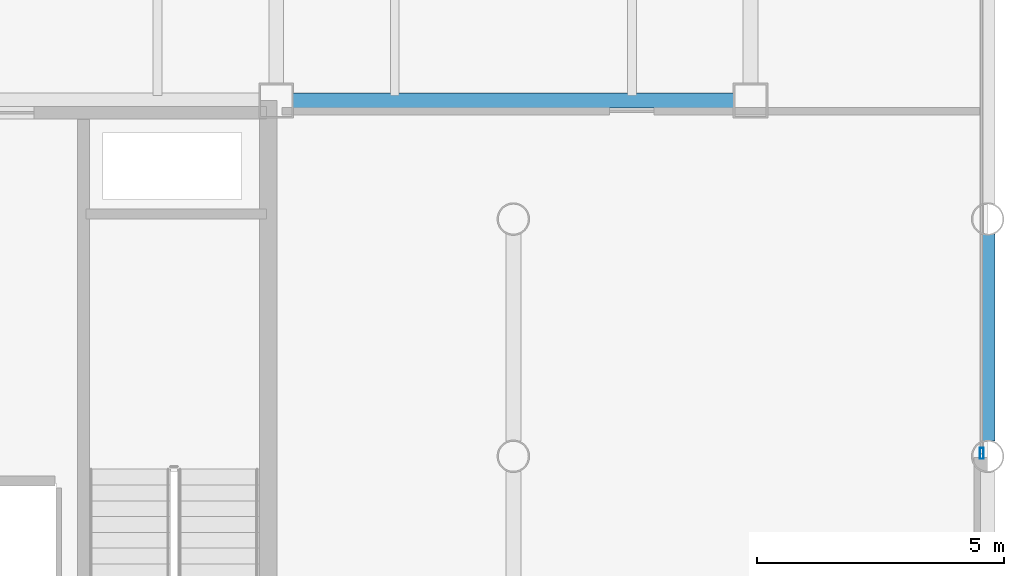
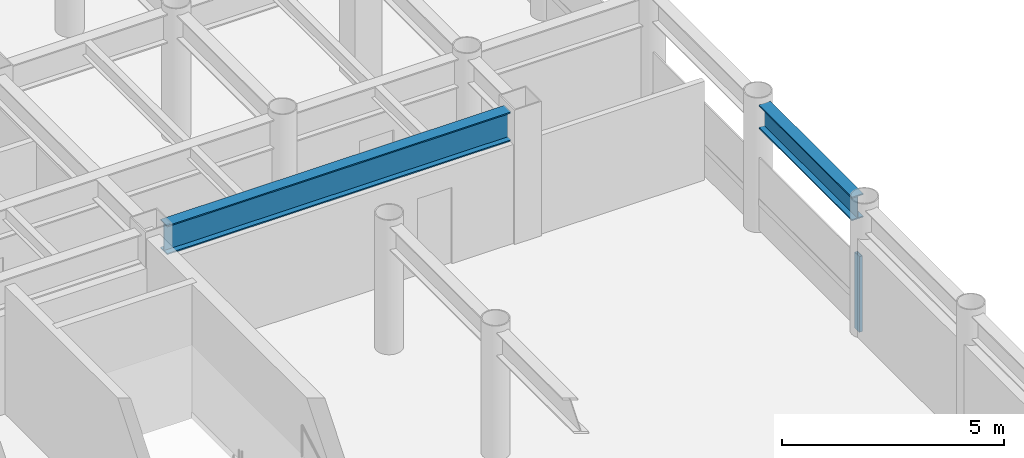
# One storey, part 8 of 20: 2 beams, 1 member, 1 element without a shape of its own.
"""IFC4 building model written with IfcOpenShell, lengths in metres."""

from ifc_helpers import new_model, si_unit, direction, frame, origin, origin_2d, place, context, subcontext, project, spatial, hollow_rectangle, i_section, extrude, material, layer, layer_set, material_profile, profile_set, type_object, element, aggregate, save


model = new_model("IFC4")

# Units and contexts
model_context = context("Model", 3, precision=1e-05, world=origin(), true_north=direction((0.0, 1.0)))
body_context = subcontext(model_context, "Body", "Model", "MODEL_VIEW")
ifc_project = project(units=[si_unit("LENGTHUNIT", "METRE"), si_unit("AREAUNIT", "SQUARE_METRE"), si_unit("VOLUMEUNIT", "CUBIC_METRE"), si_unit("PLANEANGLEUNIT", "RADIAN"), si_unit("MASSUNIT", "GRAM", prefix="KILO")], contexts=[model_context])

# Site, building, storey
site_placement = place(None, origin())
site = spatial("IfcSite", under=ifc_project, at=site_placement, CompositionType="ELEMENT")
building_placement = place(site_placement, origin())
building = spatial("IfcBuilding", under=site, at=building_placement, Name="Kallvorn Hotel Tower", CompositionType="ELEMENT")
storey_placement = place(building_placement, frame((0.0, 0.0, 132.199951171875)))
storey = spatial("IfcBuildingStorey", under=building, at=storey_placement, Name="L32", CompositionType="ELEMENT", Elevation=132.199951171875)

# Beams
ifc_material_1 = material(Name="Structural steel S355JR", Category="steel")
ifc_material_profile_1 = material_profile(ifc_material_1, i_section(OverallWidth=0.300048828125, OverallDepth=0.64990234375, WebThickness=0.01611328125, FlangeThickness=0.031005859375, at=origin_2d()), Name="HE 650 B")
ifc_profile_set_1 = profile_set([ifc_material_profile_1], Name="Structural steel S355JR")
beam_type_1 = type_object("IfcBeamType", Name="BM_HE650B", PredefinedType="BEAM", material=ifc_profile_set_1)
beam_1_placement = place(storey_placement, frame((28.800048828125, 0.304931640625, 3.195068359375), z_axis=(0.0, 1.0, 0.0), x_axis=(-1.0, 0.0, 0.0)))
element("IfcBeam", 1, at=beam_1_placement, inside=storey, type_object=beam_type_1, Name="L33 Primary Y-Girder 147", PredefinedType="BEAM", context=body_context, shape_type="SweptSolid", body=[
    extrude(i_section(OverallWidth=0.300048828125, OverallDepth=0.64990234375, WebThickness=0.01611328125, FlangeThickness=0.031005859375, at=origin_2d()), origin(), (0.0, 0.0, 1.0), 4.190185546875),
])
ifc_material_2 = material(Name="Structural steel S355JR", Category="steel")
ifc_material_profile_2 = material_profile(ifc_material_2, i_section(OverallWidth=0.300048828125, OverallDepth=0.800048828125, WebThickness=0.017578125, FlangeThickness=0.032958984375, at=origin_2d()), Name="HE 800 B")
ifc_profile_set_2 = profile_set([ifc_material_profile_2], Name="Structural steel S355JR")
beam_type_2 = type_object("IfcBeamType", Name="BM_HE800B", PredefinedType="BEAM", material=ifc_profile_set_2)
beam_2_placement = place(storey_placement, frame((14.72509765625, 7.199951171875, 3.1201171875), z_axis=(1.0, 0.0, 0.0), x_axis=(0.0, 1.0, 0.0)))
element("IfcBeam", 2, at=beam_2_placement, inside=storey, type_object=beam_type_2, Name="L33 Primary X-Girder 40", PredefinedType="BEAM", context=body_context, shape_type="SweptSolid", body=[
    extrude(i_section(OverallWidth=0.300048828125, OverallDepth=0.800048828125, WebThickness=0.017578125, FlangeThickness=0.032958984375, at=origin_2d()), origin(), (0.0, 0.0, 1.0), 8.949951171875),
])

# Curtain wall, member
ifc_material_3 = material(Name="Thermally broken black-anodised aluminium AA 6063-T6", Category="aluminium")
ifc_layer = layer(ifc_material_3, 0.2099609375)
ifc_layer_set = layer_set([ifc_layer], Name="CW_SYS_4_HOTEL_MID")
curtain_wall_type = type_object("IfcCurtainWallType", Name="CW_SYS_4_HOTEL_MID", PredefinedType="USERDEFINED", material=ifc_layer_set)
curtain_wall_placement = place(storey_placement, origin())
curtain_wall = element("IfcCurtainWall", 3, at=curtain_wall_placement, inside=storey, type_object=curtain_wall_type, Name="L32 Dark-Glass Curtain Wall CW-L32-EN", ObjectType="UNITISED CURTAIN WALL", PredefinedType="USERDEFINED")
ifc_material_4 = material(Name="Thermally broken black-anodised aluminium AA 6063-T6", Category="aluminium")
ifc_material_profile_3 = material_profile(ifc_material_4, hollow_rectangle(XDim=0.080078125, YDim=0.219970703125, WallThickness=0.0048828125, at=origin_2d()), Name="MUL 220x80")
ifc_profile_set_3 = profile_set([ifc_material_profile_3], Name="Thermally broken black-anodised aluminium AA 6063-T6")
member_type = type_object("IfcMemberType", Name="CW_MULLION_220x80", PredefinedType="MULLION", material=ifc_profile_set_3)
member_placement = place(storey_placement, frame((28.679931640625, 0.06005859375, 0.02001953125), z_axis=(0.0, 0.0, 1.0), x_axis=(1.0, 0.0, 0.0)))
member = element("IfcMember", 4, at=member_placement, type_object=member_type, Name="CW-L32-EN Mullion 00", PredefinedType="MULLION", context=body_context, shape_type="SweptSolid", body=[
    extrude(hollow_rectangle(XDim=0.080078125, YDim=0.219970703125, WallThickness=0.0048828125, at=origin_2d()), origin(), (0.0, 0.0, 1.0), 2.080078125),
])
aggregate(curtain_wall, [member])

save(model, "model.ifc")
